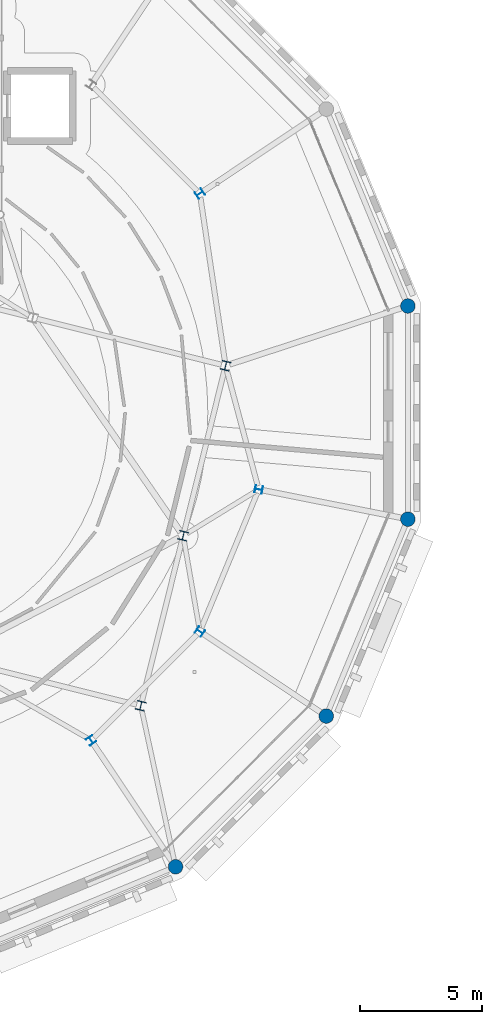
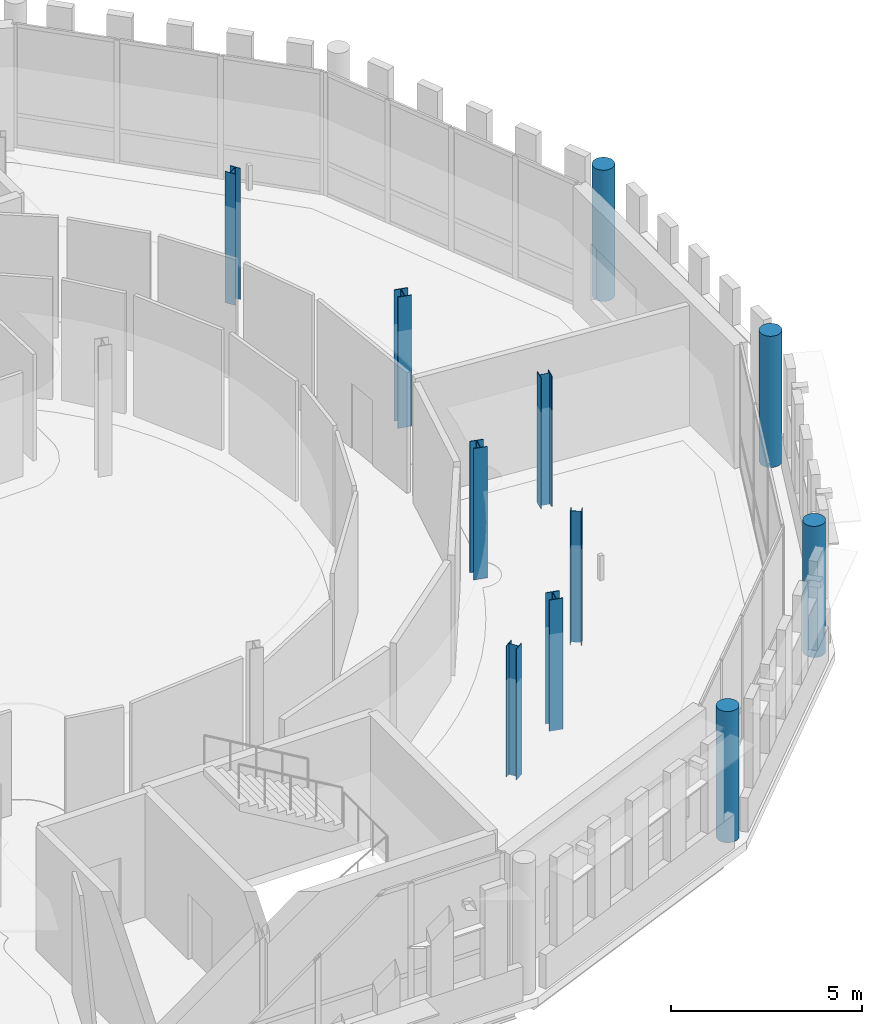
# One storey, part 19 of 125: 11 columns.
"""IFC4 building model written with IfcOpenShell, lengths in metres."""

from ifc_helpers import new_model, si_unit, direction, frame, origin, origin_2d, place, context, subcontext, project, spatial, circle, i_section, extrude, material, material_profile, profile_set, type_object, element, save


model = new_model("IFC4")

# Units and contexts
model_context = context("Model", 3, precision=1e-05, world=origin(), true_north=direction((0.0, 1.0)))
body_context = subcontext(model_context, "Body", "Model", "MODEL_VIEW")
ifc_project = project(units=[si_unit("LENGTHUNIT", "METRE"), si_unit("AREAUNIT", "SQUARE_METRE"), si_unit("VOLUMEUNIT", "CUBIC_METRE"), si_unit("PLANEANGLEUNIT", "RADIAN"), si_unit("MASSUNIT", "GRAM", prefix="KILO")], contexts=[model_context])

# Site, building, storey
site_placement = place(None, origin())
site = spatial("IfcSite", under=ifc_project, at=site_placement, CompositionType="ELEMENT")
building_placement = place(site_placement, origin())
building = spatial("IfcBuilding", under=site, at=building_placement, Name="Wrenclough Park School", CompositionType="ELEMENT")
storey_placement = place(building_placement, frame((0.0, 0.0, 4.199951171875)))
storey = spatial("IfcBuildingStorey", under=building, at=storey_placement, Name="L01", CompositionType="ELEMENT", Elevation=4.199951171875)

# Columns
ifc_material_1 = material(Name="Concrete C40/50", Category="concrete")
ifc_material_profile_1 = material_profile(ifc_material_1, circle(Radius=0.300048828125, at=origin_2d()), Name="RC COL D600")
ifc_profile_set_1 = profile_set([ifc_material_profile_1], Name="Concrete C40/50")
column_type_1 = type_object("IfcColumnType", Name="STR-COL-RCD600", PredefinedType="COLUMN", material=ifc_profile_set_1)
for number, where, z_axis, x_axis, name in (
    (1, (177.5185546875, 30.8798828125, 0.0), (0.0, 0.0, 1.0), (-0.195090322016, 0.980785280403, 0.0), "D1 L01 column D1-OUT-01"),
    (2, (167.97265625, 7.83349609375, 0.0), (0.0, 0.0, 1.0), (0.831469612303, 0.55557023302, 0.0), "D1 L01 column D1-OUT-14"),
    (3, (174.16650390625, 14.02734375, 0.0), (0.0, 0.0, 1.0), (0.55557023302, 0.831469612303, 0.0), "D1 L01 column D1-OUT-15"),
    (4, (177.5185546875, 22.1201171875, 0.0), (0.0, 0.0, 1.0), (0.195090322016, 0.980785280403, 0.0), "D1 L01 column D1-OUT-16"),
):
    element("IfcColumn", number, at=place(storey_placement, frame(where, z_axis=z_axis, x_axis=x_axis)), inside=storey, type_object=column_type_1, Name=name, PredefinedType="COLUMN", context=body_context, shape_type="SweptSolid", body=[
        extrude(circle(Radius=0.300048828125, at=origin_2d()), origin(), (0.0, 0.0, 1.0), 4.199951171875),
    ])
ifc_material_2 = material(Name="Structural steel S355", Category="steel")
ifc_material_profile_2 = material_profile(ifc_material_2, i_section(OverallWidth=0.307373046875, OverallDepth=0.314453125, WebThickness=0.011962890625, FlangeThickness=0.018798828125, FilletRadius=0.01513671875, at=origin_2d()), Name="UKC 305x305x118")
ifc_profile_set_2 = profile_set([ifc_material_profile_2], Name="Structural steel S355")
column_type_2 = type_object("IfcColumnType", Name="STR-COL-UKC305A", PredefinedType="COLUMN", material=ifc_profile_set_2)
for number, where, z_axis, x_axis, name in (
    (5, (168.9697265625, 35.500244140625, 0.0), (0.0, 0.0, 1.0), (-0.55557023302, 0.831469612303, 0.0), "D1 L01 column D1-MID-02"),
    (6, (164.500244140625, 13.0302734375, 0.0), (0.0, 0.0, 1.0), (0.831469612303, 0.55557023302, 0.0), "D1 L01 column D1-MID-14"),
    (7, (168.9697265625, 17.499755859375, 0.0), (0.0, 0.0, 1.0), (0.55557023302, 0.831469612303, 0.0), "D1 L01 column D1-MID-15"),
    (8, (171.388671875, 23.339599609375, 0.0), (0.0, 0.0, 1.0), (0.195090322016, 0.980785280403, 0.0), "D1 L01 column D1-MID-16"),
):
    element("IfcColumn", number, at=place(storey_placement, frame(where, z_axis=z_axis, x_axis=x_axis)), inside=storey, type_object=column_type_2, Name=name, PredefinedType="COLUMN", context=body_context, shape_type="SweptSolid", body=[
        extrude(i_section(OverallWidth=0.307373046875, OverallDepth=0.314453125, WebThickness=0.011962890625, FlangeThickness=0.018798828125, FilletRadius=0.01513671875, at=origin_2d()), origin(), (0.0, 0.0, 1.0), 4.199951171875),
    ])
ifc_material_profile_3 = material_profile(ifc_material_2, i_section(OverallWidth=0.37255859375, OverallDepth=0.3681640625, WebThickness=0.014404296875, FlangeThickness=0.023681640625, FilletRadius=0.01513671875, at=origin_2d()), Name="UKC 356x368x177")
ifc_profile_set_3 = profile_set([ifc_material_profile_3], Name="Structural steel S355")
column_type_3 = type_object("IfcColumnType", Name="STR-COL-UKC356", PredefinedType="COLUMN", material=ifc_profile_set_3)
for number, where, z_axis, x_axis, name in (
    (9, (166.544189453125, 14.4501953125, 0.0), (0.0, 0.0, 1.0), (0.970295726276, -0.2419218956, 0.0), "D1 L01 column D1HR-3-0"),
    (10, (168.2861328125, 21.4365234375, 0.0), (0.0, 0.0, 1.0), (0.970295726276, -0.2419218956, 0.0), "D1 L01 column D1HR-3-1"),
    (11, (170.028076171875, 28.422607421875, 0.0), (0.0, 0.0, 1.0), (0.970295726276, -0.2419218956, 0.0), "D1 L01 column D1HR-3-2"),
):
    element("IfcColumn", number, at=place(storey_placement, frame(where, z_axis=z_axis, x_axis=x_axis)), inside=storey, type_object=column_type_3, Name=name, PredefinedType="COLUMN", context=body_context, shape_type="SweptSolid", body=[
        extrude(i_section(OverallWidth=0.37255859375, OverallDepth=0.3681640625, WebThickness=0.014404296875, FlangeThickness=0.023681640625, FilletRadius=0.01513671875, at=origin_2d()), origin(), (0.0, 0.0, 1.0), 4.199951171875),
    ])

save(model, "model.ifc")
